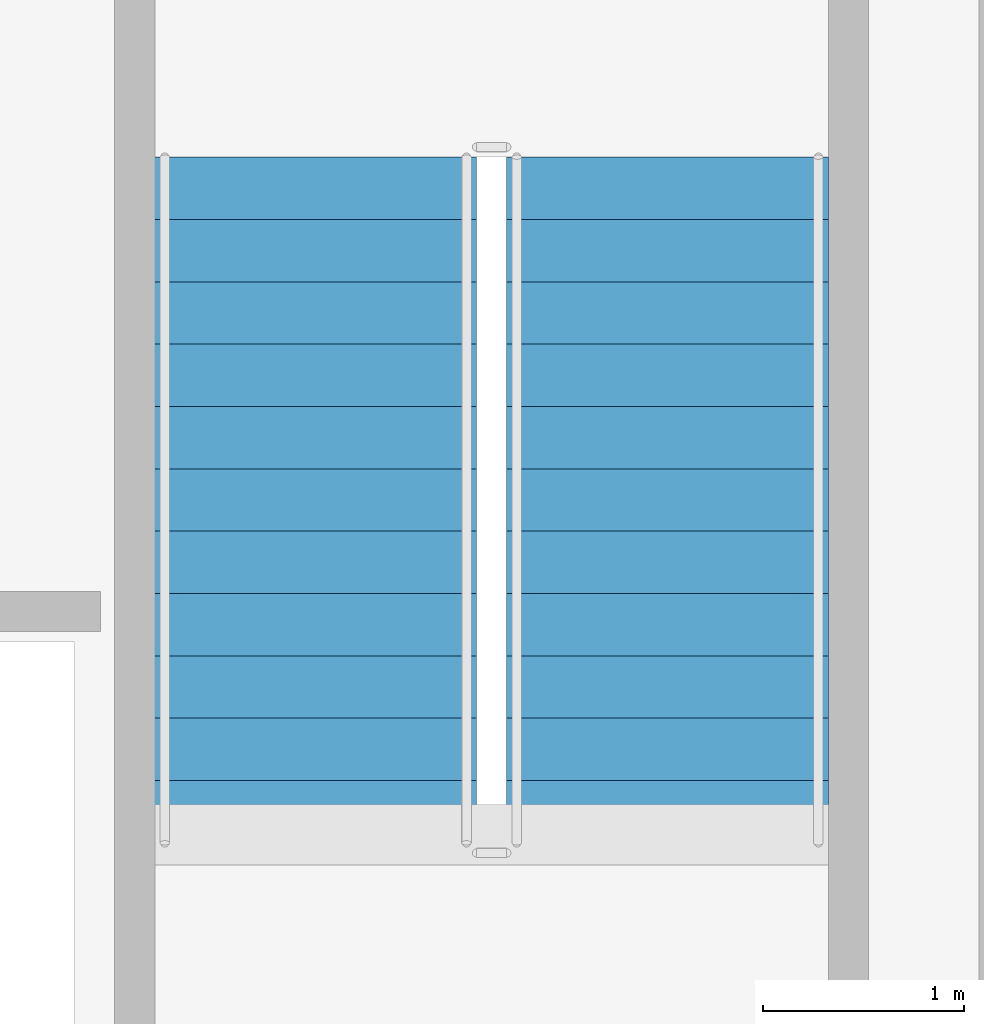
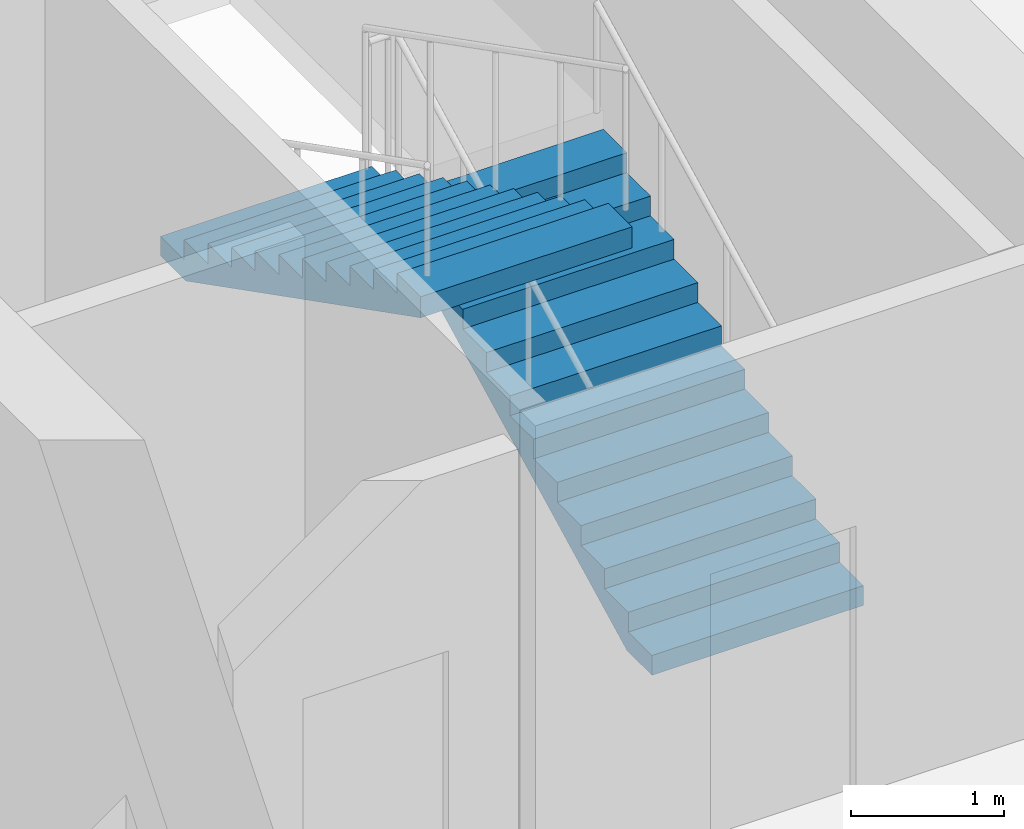
# One storey, part 12 of 16: 2 stair flights, 1 element without a shape of its own.
"""IFC4 building model written with IfcOpenShell, lengths in metres."""

from ifc_helpers import new_model, si_unit, direction, frame, origin, place, context, subcontext, project, spatial, polyline, outline, extrude, material, type_object, element, aggregate, save


model = new_model("IFC4")

# Units and contexts
model_context = context("Model", 3, precision=1e-05, world=origin(), true_north=direction((0.0, 1.0)))
body_context = subcontext(model_context, "Body", "Model", "MODEL_VIEW")
ifc_project = project(units=[si_unit("LENGTHUNIT", "METRE"), si_unit("AREAUNIT", "SQUARE_METRE"), si_unit("VOLUMEUNIT", "CUBIC_METRE"), si_unit("PLANEANGLEUNIT", "RADIAN"), si_unit("MASSUNIT", "GRAM", prefix="KILO")], contexts=[model_context])

# Site, building, storey
site_placement = place(None, origin())
site = spatial("IfcSite", under=ifc_project, at=site_placement, CompositionType="ELEMENT")
building_placement = place(site_placement, origin())
building = spatial("IfcBuilding", under=site, at=building_placement, Name="Vaeldorn Concourse Tower", CompositionType="ELEMENT")
storey_placement = place(building_placement, frame((0.0, 0.0, 207.0)))
storey = spatial("IfcBuildingStorey", under=building, at=storey_placement, Name="L53", CompositionType="ELEMENT", Elevation=207.0)

# Stair, stair flights
ifc_material = material(Name="Precast concrete C40/50", Category="concrete")
stair_type = type_object("IfcStairType", Name="STR-DOG-24x158", PredefinedType="HALF_TURN_STAIR", material=ifc_material)
stair_placement = place(storey_placement, origin())
stair = element("IfcStair", 1, at=stair_placement, inside=storey, type_object=stair_type, Name="L53 East Core Exit Stair ST-2", PredefinedType="HALF_TURN_STAIR")
stair_flight_type = type_object("IfcStairFlightType", Name="STF-STR-12x158", PredefinedType="STRAIGHT", material=ifc_material)
stair_flight_1_placement = place(storey_placement, frame((52.14990234375, 41.60009765625, 0.0), z_axis=(0.0, 0.0, 1.0), x_axis=(0.0, 1.0, 0.0)))
stair_flight_1 = element("IfcStairFlight", 2, at=stair_flight_1_placement, type_object=stair_flight_type, Name="ST-2 flight 1", NumberOfRisers=12, NumberOfTreads=11, PredefinedType="STRAIGHT", RiserHeight=0.158333333, TreadLength=0.31, context=body_context, shape_type="SweptSolid", body=[
    extrude(outline(polyline([(0.0, 0.0), (0.0, 0.158447265625), (0.31005859375, 0.158447265625), (0.31005859375, 0.316650390625), (0.6201171875, 0.316650390625), (0.6201171875, 0.47509765625), (0.929931640625, 0.47509765625), (0.929931640625, 0.63330078125), (1.239990234375, 0.63330078125), (1.239990234375, 0.791748046875), (1.550048828125, 0.791748046875), (1.550048828125, 0.949951171875), (1.860107421875, 0.949951171875), (1.860107421875, 1.1083984375), (2.169921875, 1.1083984375), (2.169921875, 1.2666015625), (2.47998046875, 1.2666015625), (2.47998046875, 1.425048828125), (2.7900390625, 1.425048828125), (2.7900390625, 1.583251953125), (3.10009765625, 1.583251953125), (3.10009765625, 1.74169921875), (3.409912109375, 1.74169921875), (3.409912109375, 1.89990234375), (3.409912109375, 1.5732421875), (0.32958984375, 0.0), (0.0, 0.0)])), frame((0.0, 0.800048828125, 0.0), z_axis=(0.0, -1.0, 0.0), x_axis=(1.0, 0.0, 0.0)), (0.0, 0.0, 1.0), 1.60009765625),
])
stair_flight_2_placement = place(storey_placement, frame((50.39990234375, 45.010009765625, 1.89990234375), z_axis=(0.0, 0.0, 1.0), x_axis=(0.0, -1.0, 0.0)))
stair_flight_2 = element("IfcStairFlight", 3, at=stair_flight_2_placement, type_object=stair_flight_type, Name="ST-2 flight 2", NumberOfRisers=12, NumberOfTreads=11, PredefinedType="STRAIGHT", RiserHeight=0.158333333, TreadLength=0.31, context=body_context, shape_type="SweptSolid", body=[
    extrude(outline(polyline([(0.0, 0.0), (0.0, 0.158447265625), (0.31005859375, 0.158447265625), (0.31005859375, 0.316650390625), (0.6201171875, 0.316650390625), (0.6201171875, 0.47509765625), (0.929931640625, 0.47509765625), (0.929931640625, 0.63330078125), (1.239990234375, 0.63330078125), (1.239990234375, 0.791748046875), (1.550048828125, 0.791748046875), (1.550048828125, 0.949951171875), (1.860107421875, 0.949951171875), (1.860107421875, 1.1083984375), (2.169921875, 1.1083984375), (2.169921875, 1.2666015625), (2.47998046875, 1.2666015625), (2.47998046875, 1.425048828125), (2.7900390625, 1.425048828125), (2.7900390625, 1.583251953125), (3.10009765625, 1.583251953125), (3.10009765625, 1.74169921875), (3.409912109375, 1.74169921875), (3.409912109375, 1.89990234375), (3.409912109375, 1.5732421875), (0.32958984375, 0.0), (0.0, 0.0)])), frame((0.0, 0.800048828125, 0.0), z_axis=(0.0, -1.0, 0.0), x_axis=(1.0, 0.0, 0.0)), (0.0, 0.0, 1.0), 1.60009765625),
])
aggregate(stair, [stair_flight_1, stair_flight_2])

save(model, "model.ifc")
